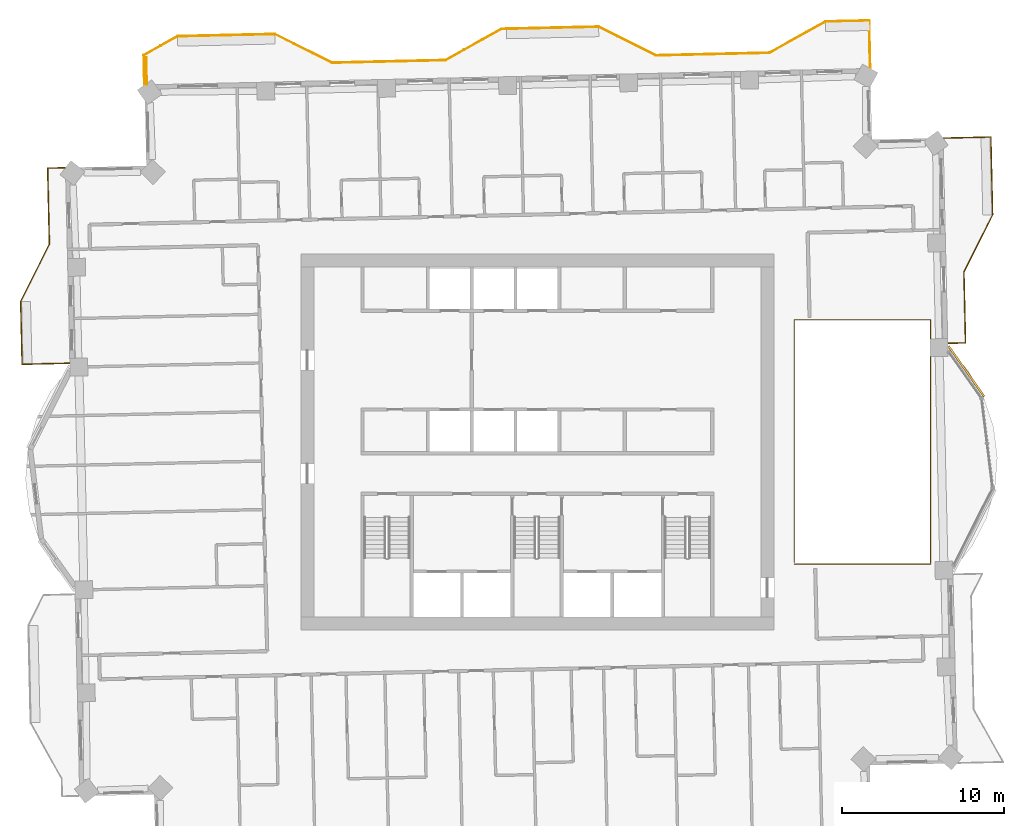
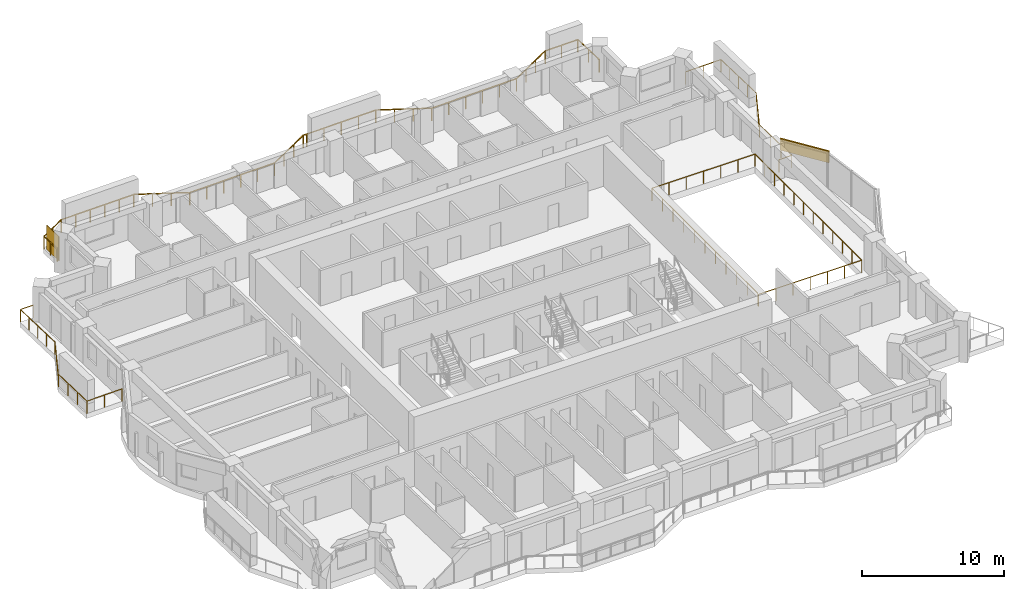
# One storey, part 17 of 17: 4 railings, 1 covering, 1 shading device.
"""IFC4 building model written with IfcOpenShell, lengths in metres."""

from ifc_helpers import new_model, si_unit, direction, frame, frame_2d, origin, origin_2d, place, context, subcontext, project, spatial, rectangle, extrude, material, layer, layer_set, type_object, element, save


model = new_model("IFC4")

# Units and contexts
model_context = context("Model", 3, precision=1e-05, world=origin(), true_north=direction((0.0, 1.0)))
body_context = subcontext(model_context, "Body", "Model", "MODEL_VIEW")
ifc_project = project(units=[si_unit("LENGTHUNIT", "METRE"), si_unit("AREAUNIT", "SQUARE_METRE"), si_unit("VOLUMEUNIT", "CUBIC_METRE"), si_unit("PLANEANGLEUNIT", "RADIAN"), si_unit("MASSUNIT", "GRAM", prefix="KILO")], contexts=[model_context])

# Site, building, storey
site_placement = place(None, origin())
site = spatial("IfcSite", under=ifc_project, at=site_placement, CompositionType="ELEMENT")
building_placement = place(site_placement, origin())
building = spatial("IfcBuilding", under=site, at=building_placement, Name="Mangrove Gate Tower", CompositionType="ELEMENT")
storey_placement = place(building_placement, frame((0.0, 0.0, 234.699951171875)))
storey = spatial("IfcBuildingStorey", under=building, at=storey_placement, Name="L59", CompositionType="ELEMENT", Elevation=234.699951171875)

# Railings
ifc_material_1 = material(Name="Stainless steel grade 316 with laminated glass infill", Category="steel")
railing_type = type_object("IfcRailingType", Name="Balcony guard 1100", PredefinedType="GUARDRAIL", material=ifc_material_1)
railing_1_placement = place(storey_placement, frame((25.375, 6.089111328125, 0.0)))
element("IfcRailing", 1, at=railing_1_placement, inside=storey, type_object=railing_type, Name="GUARD L59 E2", PredefinedType="GUARDRAIL", context=body_context, shape_type="SweptSolid", body=[
    extrude(rectangle(XDim=0.048095703125, YDim=0.048095703125, at=origin_2d()), frame((0.0, 0.0, 1.076171875), z_axis=(0.999745389313, 0.022564497502, 0.0), x_axis=(-0.022564497502, 0.999745389313, 0.0)), (0.0, 0.0, 1.0), 1.060302734375),
    extrude(rectangle(XDim=0.048095703125, YDim=0.048095703125, at=origin_2d()), frame((1.06005859375, 0.02392578125, 1.076171875), z_axis=(-0.022655491882, 0.999743331404, 0.0), x_axis=(-0.999743331404, -0.022655491882, 0.0)), (0.0, 0.0, 1.0), 4.375244140625),
    extrude(rectangle(XDim=0.048095703125, YDim=0.048095703125, at=origin_2d()), frame((0.9609375, 4.39794921875, 1.076171875), z_axis=(0.447114919141, 0.894476522376, 0.0), x_axis=(-0.894476522376, 0.447114919141, 0.0)), (0.0, 0.0, 1.0), 3.958740234375),
    extrude(rectangle(XDim=0.048095703125, YDim=0.048095703125, at=origin_2d()), frame((2.73095703125, 7.93896484375, 1.076171875), z_axis=(-0.022684433919, 0.999742675121, 0.0), x_axis=(-0.999742675121, -0.022684433919, 0.0)), (0.0, 0.0, 1.0), 4.800048828125),
    extrude(rectangle(XDim=0.048095703125, YDim=0.048095703125, at=origin_2d()), frame((2.6220703125, 12.73779296875, 1.076171875), z_axis=(-0.999743392495, -0.022652795902, 0.0), x_axis=(0.022652795902, -0.999743392495, 0.0)), (0.0, 0.0, 1.0), 2.909912109375),
    extrude(rectangle(XDim=0.0419921875, YDim=0.0419921875, at=origin_2d()), origin(), (0.0, 0.0, 1.0), 1.052001953125),
    extrude(rectangle(XDim=0.0419921875, YDim=0.0419921875, at=origin_2d()), frame((1.06005859375, 0.02392578125, 0.0)), (0.0, 0.0, 1.0), 1.052001953125),
    extrude(rectangle(XDim=0.0419921875, YDim=0.0419921875, at=origin_2d()), frame((1.027099609375, 1.48193359375, 0.0)), (0.0, 0.0, 1.0), 1.052001953125),
    extrude(rectangle(XDim=0.0419921875, YDim=0.0419921875, at=origin_2d()), frame((0.993896484375, 2.93994140625, 0.0)), (0.0, 0.0, 1.0), 1.052001953125),
    extrude(rectangle(XDim=0.0419921875, YDim=0.0419921875, at=origin_2d()), frame((0.9609375, 4.39794921875, 0.0)), (0.0, 0.0, 1.0), 1.052001953125),
    extrude(rectangle(XDim=0.0419921875, YDim=0.0419921875, at=origin_2d()), frame((1.551025390625, 5.578369140625, 0.0)), (0.0, 0.0, 1.0), 1.052001953125),
    extrude(rectangle(XDim=0.0419921875, YDim=0.0419921875, at=origin_2d()), frame((2.140869140625, 6.758544921875, 0.0)), (0.0, 0.0, 1.0), 1.052001953125),
    extrude(rectangle(XDim=0.0419921875, YDim=0.0419921875, at=origin_2d()), frame((2.73095703125, 7.93896484375, 0.0)), (0.0, 0.0, 1.0), 1.052001953125),
    extrude(rectangle(XDim=0.0419921875, YDim=0.0419921875, at=origin_2d()), frame((2.70361328125, 9.138671875, 0.0)), (0.0, 0.0, 1.0), 1.052001953125),
    extrude(rectangle(XDim=0.0419921875, YDim=0.0419921875, at=origin_2d()), frame((2.676513671875, 10.33837890625, 0.0)), (0.0, 0.0, 1.0), 1.052001953125),
    extrude(rectangle(XDim=0.0419921875, YDim=0.0419921875, at=origin_2d()), frame((2.6494140625, 11.5380859375, 0.0)), (0.0, 0.0, 1.0), 1.052001953125),
    extrude(rectangle(XDim=0.0419921875, YDim=0.0419921875, at=origin_2d()), frame((2.6220703125, 12.73779296875, 0.0)), (0.0, 0.0, 1.0), 1.052001953125),
    extrude(rectangle(XDim=0.0419921875, YDim=0.0419921875, at=origin_2d()), frame((1.16748046875, 12.704833984375, 0.0)), (0.0, 0.0, 1.0), 1.052001953125),
    extrude(rectangle(XDim=0.0419921875, YDim=0.0419921875, at=origin_2d()), frame((-0.287109375, 12.671875, 0.0)), (0.0, 0.0, 1.0), 1.052001953125),
])
railing_2_placement = place(storey_placement, frame((20.548095703125, 23.09912109375, 0.0)))
element("IfcRailing", 2, at=railing_2_placement, inside=storey, type_object=railing_type, Name="GUARD L59 N1", PredefinedType="GUARDRAIL", context=body_context, shape_type="SweptSolid", body=[
    extrude(rectangle(XDim=0.048095703125, YDim=0.048095703125, at=origin_2d()), frame((0.0, 0.0, 1.076171875), z_axis=(-0.022738559105, 0.99974144554, 0.0), x_axis=(-0.99974144554, -0.022738559105, 0.0)), (0.0, 0.0, 1.0), 2.90966796875),
    extrude(rectangle(XDim=0.048095703125, YDim=0.048095703125, at=origin_2d()), frame((-0.066162109375, 2.908935546875, 1.076171875), z_axis=(-0.999745134961, -0.022575764045, 0.0), x_axis=(0.022575764045, -0.999745134961, 0.0)), (0.0, 0.0, 1.0), 2.70361328125),
    extrude(rectangle(XDim=0.048095703125, YDim=0.048095703125, at=origin_2d()), frame((-2.76904296875, 2.847900390625, 1.076171875), z_axis=(-0.87325689943, -0.48726008209, 0.0), x_axis=(0.48726008209, -0.87325689943, 0.0)), (0.0, 0.0, 1.0), 3.958740234375),
    extrude(rectangle(XDim=0.048095703125, YDim=0.048095703125, at=origin_2d()), frame((-6.22607421875, 0.9189453125, 1.076171875), z_axis=(-0.999741403216, -0.022740419861, 0.0), x_axis=(0.022740419861, -0.999741403216, 0.0)), (0.0, 0.0, 1.0), 6.999755859375),
    extrude(rectangle(XDim=0.048095703125, YDim=0.048095703125, at=origin_2d()), frame((-13.22412109375, 0.759765625, 1.076171875), z_axis=(-0.894476522376, 0.447114919141, 0.0), x_axis=(-0.447114919141, -0.894476522376, 0.0)), (0.0, 0.0, 1.0), 3.958740234375),
    extrude(rectangle(XDim=0.048095703125, YDim=0.048095703125, at=origin_2d()), frame((-16.76513671875, 2.52978515625, 1.076171875), z_axis=(-0.999744284001, -0.022613416525, 0.0), x_axis=(0.022613416525, -0.999744284001, 0.0)), (0.0, 0.0, 1.0), 5.700439453125),
    extrude(rectangle(XDim=0.048095703125, YDim=0.048095703125, at=origin_2d()), frame((-22.464111328125, 2.40087890625, 1.076171875), z_axis=(-0.999721720687, -0.023589853458, 0.0), x_axis=(0.023589853458, -0.999721720687, 0.0)), (0.0, 0.0, 1.0), 0.300048828125),
    extrude(rectangle(XDim=0.048095703125, YDim=0.048095703125, at=origin_2d()), frame((-22.76416015625, 2.393798828125, 1.076171875), z_axis=(-0.87325689943, -0.48726008209, 0.0), x_axis=(0.48726008209, -0.87325689943, 0.0)), (0.0, 0.0, 1.0), 3.958740234375),
    extrude(rectangle(XDim=0.048095703125, YDim=0.048095703125, at=origin_2d()), frame((-26.22119140625, 0.46484375, 1.076171875), z_axis=(-0.999742177561, -0.022706351659, 0.0), x_axis=(0.022706351659, -0.999742177561, 0.0)), (0.0, 0.0, 1.0), 6.99951171875),
    extrude(rectangle(XDim=0.048095703125, YDim=0.048095703125, at=origin_2d()), frame((-33.218994140625, 0.305908203125, 1.076171875), z_axis=(-0.894476522376, 0.447114919141, 0.0), x_axis=(-0.447114919141, -0.894476522376, 0.0)), (0.0, 0.0, 1.0), 3.958740234375),
    extrude(rectangle(XDim=0.048095703125, YDim=0.048095703125, at=origin_2d()), frame((-36.760009765625, 2.075927734375, 1.076171875), z_axis=(-0.999743178102, -0.022662255828, 0.0), x_axis=(0.022662255828, -0.999743178102, 0.0)), (0.0, 0.0, 1.0), 6.00048828125),
    extrude(rectangle(XDim=0.048095703125, YDim=0.048095703125, at=origin_2d()), frame((-42.759033203125, 1.93994140625, 1.076171875), z_axis=(-0.873323584188, -0.487140551895, 0.0), x_axis=(0.487140551895, -0.873323584188, 0.0)), (0.0, 0.0, 1.0), 2.379638671875),
    extrude(rectangle(XDim=0.048095703125, YDim=0.048095703125, at=origin_2d()), frame((-44.837158203125, 0.78076171875, 1.076171875), z_axis=(0.022807753673, -0.999739869352, 0.0), x_axis=(0.999739869352, 0.022807753673, 0.0)), (0.0, 0.0, 1.0), 1.79833984375),
    extrude(rectangle(XDim=0.0419921875, YDim=0.0419921875, at=origin_2d()), origin(), (0.0, 0.0, 1.0), 1.052001953125),
    extrude(rectangle(XDim=0.0419921875, YDim=0.0419921875, at=origin_2d()), frame((-0.033203125, 1.45458984375, 0.0)), (0.0, 0.0, 1.0), 1.052001953125),
    extrude(rectangle(XDim=0.0419921875, YDim=0.0419921875, at=origin_2d()), frame((-0.066162109375, 2.908935546875, 0.0)), (0.0, 0.0, 1.0), 1.052001953125),
    extrude(rectangle(XDim=0.0419921875, YDim=0.0419921875, at=origin_2d()), frame((-1.41748046875, 2.87841796875, 0.0)), (0.0, 0.0, 1.0), 1.052001953125),
    extrude(rectangle(XDim=0.0419921875, YDim=0.0419921875, at=origin_2d()), frame((-2.76904296875, 2.847900390625, 0.0)), (0.0, 0.0, 1.0), 1.052001953125),
    extrude(rectangle(XDim=0.0419921875, YDim=0.0419921875, at=origin_2d()), frame((-3.92138671875, 2.204833984375, 0.0)), (0.0, 0.0, 1.0), 1.052001953125),
    extrude(rectangle(XDim=0.0419921875, YDim=0.0419921875, at=origin_2d()), frame((-5.07373046875, 1.56201171875, 0.0)), (0.0, 0.0, 1.0), 1.052001953125),
    extrude(rectangle(XDim=0.0419921875, YDim=0.0419921875, at=origin_2d()), frame((-6.22607421875, 0.9189453125, 0.0)), (0.0, 0.0, 1.0), 1.052001953125),
    extrude(rectangle(XDim=0.0419921875, YDim=0.0419921875, at=origin_2d()), frame((-7.625732421875, 0.88720703125, 0.0)), (0.0, 0.0, 1.0), 1.052001953125),
    extrude(rectangle(XDim=0.0419921875, YDim=0.0419921875, at=origin_2d()), frame((-9.025390625, 0.855224609375, 0.0)), (0.0, 0.0, 1.0), 1.052001953125),
    extrude(rectangle(XDim=0.0419921875, YDim=0.0419921875, at=origin_2d()), frame((-10.4248046875, 0.823486328125, 0.0)), (0.0, 0.0, 1.0), 1.052001953125),
    extrude(rectangle(XDim=0.0419921875, YDim=0.0419921875, at=origin_2d()), frame((-11.824462890625, 0.79150390625, 0.0)), (0.0, 0.0, 1.0), 1.052001953125),
    extrude(rectangle(XDim=0.0419921875, YDim=0.0419921875, at=origin_2d()), frame((-13.22412109375, 0.759765625, 0.0)), (0.0, 0.0, 1.0), 1.052001953125),
    extrude(rectangle(XDim=0.0419921875, YDim=0.0419921875, at=origin_2d()), frame((-14.404541015625, 1.349853515625, 0.0)), (0.0, 0.0, 1.0), 1.052001953125),
    extrude(rectangle(XDim=0.0419921875, YDim=0.0419921875, at=origin_2d()), frame((-15.584716796875, 1.939697265625, 0.0)), (0.0, 0.0, 1.0), 1.052001953125),
    extrude(rectangle(XDim=0.0419921875, YDim=0.0419921875, at=origin_2d()), frame((-16.76513671875, 2.52978515625, 0.0)), (0.0, 0.0, 1.0), 1.052001953125),
    extrude(rectangle(XDim=0.0419921875, YDim=0.0419921875, at=origin_2d()), frame((-18.18994140625, 2.49755859375, 0.0)), (0.0, 0.0, 1.0), 1.052001953125),
    extrude(rectangle(XDim=0.0419921875, YDim=0.0419921875, at=origin_2d()), frame((-19.61474609375, 2.46533203125, 0.0)), (0.0, 0.0, 1.0), 1.052001953125),
    extrude(rectangle(XDim=0.0419921875, YDim=0.0419921875, at=origin_2d()), frame((-21.039306640625, 2.43310546875, 0.0)), (0.0, 0.0, 1.0), 1.052001953125),
    extrude(rectangle(XDim=0.0419921875, YDim=0.0419921875, at=origin_2d()), frame((-22.464111328125, 2.40087890625, 0.0)), (0.0, 0.0, 1.0), 1.052001953125),
    extrude(rectangle(XDim=0.0419921875, YDim=0.0419921875, at=origin_2d()), frame((-22.76416015625, 2.393798828125, 0.0)), (0.0, 0.0, 1.0), 1.052001953125),
    extrude(rectangle(XDim=0.0419921875, YDim=0.0419921875, at=origin_2d()), frame((-23.91650390625, 1.750732421875, 0.0)), (0.0, 0.0, 1.0), 1.052001953125),
    extrude(rectangle(XDim=0.0419921875, YDim=0.0419921875, at=origin_2d()), frame((-25.06884765625, 1.10791015625, 0.0)), (0.0, 0.0, 1.0), 1.052001953125),
    extrude(rectangle(XDim=0.0419921875, YDim=0.0419921875, at=origin_2d()), frame((-26.22119140625, 0.46484375, 0.0)), (0.0, 0.0, 1.0), 1.052001953125),
    extrude(rectangle(XDim=0.0419921875, YDim=0.0419921875, at=origin_2d()), frame((-27.620849609375, 0.43310546875, 0.0)), (0.0, 0.0, 1.0), 1.052001953125),
    extrude(rectangle(XDim=0.0419921875, YDim=0.0419921875, at=origin_2d()), frame((-29.020263671875, 0.4013671875, 0.0)), (0.0, 0.0, 1.0), 1.052001953125),
    extrude(rectangle(XDim=0.0419921875, YDim=0.0419921875, at=origin_2d()), frame((-30.419921875, 0.369384765625, 0.0)), (0.0, 0.0, 1.0), 1.052001953125),
    extrude(rectangle(XDim=0.0419921875, YDim=0.0419921875, at=origin_2d()), frame((-31.8193359375, 0.337646484375, 0.0)), (0.0, 0.0, 1.0), 1.052001953125),
    extrude(rectangle(XDim=0.0419921875, YDim=0.0419921875, at=origin_2d()), frame((-33.218994140625, 0.305908203125, 0.0)), (0.0, 0.0, 1.0), 1.052001953125),
    extrude(rectangle(XDim=0.0419921875, YDim=0.0419921875, at=origin_2d()), frame((-34.3994140625, 0.89599609375, 0.0)), (0.0, 0.0, 1.0), 1.052001953125),
    extrude(rectangle(XDim=0.0419921875, YDim=0.0419921875, at=origin_2d()), frame((-35.57958984375, 1.48583984375, 0.0)), (0.0, 0.0, 1.0), 1.052001953125),
    extrude(rectangle(XDim=0.0419921875, YDim=0.0419921875, at=origin_2d()), frame((-36.760009765625, 2.075927734375, 0.0)), (0.0, 0.0, 1.0), 1.052001953125),
    extrude(rectangle(XDim=0.0419921875, YDim=0.0419921875, at=origin_2d()), frame((-37.959716796875, 2.048828125, 0.0)), (0.0, 0.0, 1.0), 1.052001953125),
    extrude(rectangle(XDim=0.0419921875, YDim=0.0419921875, at=origin_2d()), frame((-39.15966796875, 2.021484375, 0.0)), (0.0, 0.0, 1.0), 1.052001953125),
    extrude(rectangle(XDim=0.0419921875, YDim=0.0419921875, at=origin_2d()), frame((-40.359375, 1.994384765625, 0.0)), (0.0, 0.0, 1.0), 1.052001953125),
    extrude(rectangle(XDim=0.0419921875, YDim=0.0419921875, at=origin_2d()), frame((-41.559326171875, 1.967041015625, 0.0)), (0.0, 0.0, 1.0), 1.052001953125),
    extrude(rectangle(XDim=0.0419921875, YDim=0.0419921875, at=origin_2d()), frame((-42.759033203125, 1.93994140625, 0.0)), (0.0, 0.0, 1.0), 1.052001953125),
    extrude(rectangle(XDim=0.0419921875, YDim=0.0419921875, at=origin_2d()), frame((-43.798095703125, 1.3603515625, 0.0)), (0.0, 0.0, 1.0), 1.052001953125),
    extrude(rectangle(XDim=0.0419921875, YDim=0.0419921875, at=origin_2d()), frame((-44.837158203125, 0.78076171875, 0.0)), (0.0, 0.0, 1.0), 1.052001953125),
    extrude(rectangle(XDim=0.0419921875, YDim=0.0419921875, at=origin_2d()), frame((-44.816650390625, -0.1181640625, 0.0)), (0.0, 0.0, 1.0), 1.052001953125),
    extrude(rectangle(XDim=0.0419921875, YDim=0.0419921875, at=origin_2d()), frame((-44.796142578125, -1.01708984375, 0.0)), (0.0, 0.0, 1.0), 1.052001953125),
])
railing_3_placement = place(storey_placement, frame((-29.173095703125, 16.928955078125, 0.0)))
element("IfcRailing", 3, at=railing_3_placement, inside=storey, type_object=railing_type, Name="GUARD L59 W1", PredefinedType="GUARDRAIL", context=body_context, shape_type="SweptSolid", body=[
    extrude(rectangle(XDim=0.048095703125, YDim=0.048095703125, at=origin_2d()), frame((0.0, 0.0, 1.076171875), z_axis=(-0.999744802133, -0.022590498181, 0.0), x_axis=(0.022590498181, -0.999744802133, 0.0)), (0.0, 0.0, 1.0), 1.05908203125),
    extrude(rectangle(XDim=0.048095703125, YDim=0.048095703125, at=origin_2d()), frame((-1.058837890625, -0.02392578125, 1.076171875), z_axis=(0.022543238277, -0.999745868913, 0.0), x_axis=(0.999745868913, 0.022543238277, 0.0)), (0.0, 0.0, 1.0), 4.7001953125),
    extrude(rectangle(XDim=0.048095703125, YDim=0.048095703125, at=origin_2d()), frame((-0.952880859375, -4.722900390625, 1.076171875), z_axis=(-0.447114919141, -0.894476522376, 0.0), x_axis=(0.894476522376, -0.447114919141, 0.0)), (0.0, 0.0, 1.0), 3.958740234375),
    extrude(rectangle(XDim=0.048095703125, YDim=0.048095703125, at=origin_2d()), frame((-2.722900390625, -8.263916015625, 1.076171875), z_axis=(0.02268704877, -0.999742615786, 0.0), x_axis=(0.999742615786, 0.02268704877, 0.0)), (0.0, 0.0, 1.0), 3.8740234375),
    extrude(rectangle(XDim=0.048095703125, YDim=0.048095703125, at=origin_2d()), frame((-2.635009765625, -12.136962890625, 1.076171875), z_axis=(0.999743392495, 0.022652795902, 0.0), x_axis=(-0.022652795902, 0.999743392495, 0.0)), (0.0, 0.0, 1.0), 2.909912109375),
    extrude(rectangle(XDim=0.0419921875, YDim=0.0419921875, at=origin_2d()), origin(), (0.0, 0.0, 1.0), 1.052001953125),
    extrude(rectangle(XDim=0.0419921875, YDim=0.0419921875, at=origin_2d()), frame((-1.058837890625, -0.02392578125, 0.0)), (0.0, 0.0, 1.0), 1.052001953125),
    extrude(rectangle(XDim=0.0419921875, YDim=0.0419921875, at=origin_2d()), frame((-1.0322265625, -1.19873046875, 0.0)), (0.0, 0.0, 1.0), 1.052001953125),
    extrude(rectangle(XDim=0.0419921875, YDim=0.0419921875, at=origin_2d()), frame((-1.005859375, -2.37353515625, 0.0)), (0.0, 0.0, 1.0), 1.052001953125),
    extrude(rectangle(XDim=0.0419921875, YDim=0.0419921875, at=origin_2d()), frame((-0.9794921875, -3.548095703125, 0.0)), (0.0, 0.0, 1.0), 1.052001953125),
    extrude(rectangle(XDim=0.0419921875, YDim=0.0419921875, at=origin_2d()), frame((-0.952880859375, -4.722900390625, 0.0)), (0.0, 0.0, 1.0), 1.052001953125),
    extrude(rectangle(XDim=0.0419921875, YDim=0.0419921875, at=origin_2d()), frame((-1.54296875, -5.9033203125, 0.0)), (0.0, 0.0, 1.0), 1.052001953125),
    extrude(rectangle(XDim=0.0419921875, YDim=0.0419921875, at=origin_2d()), frame((-2.1328125, -7.08349609375, 0.0)), (0.0, 0.0, 1.0), 1.052001953125),
    extrude(rectangle(XDim=0.0419921875, YDim=0.0419921875, at=origin_2d()), frame((-2.722900390625, -8.263916015625, 0.0)), (0.0, 0.0, 1.0), 1.052001953125),
    extrude(rectangle(XDim=0.0419921875, YDim=0.0419921875, at=origin_2d()), frame((-2.693603515625, -9.554931640625, 0.0)), (0.0, 0.0, 1.0), 1.052001953125),
    extrude(rectangle(XDim=0.0419921875, YDim=0.0419921875, at=origin_2d()), frame((-2.664306640625, -10.845947265625, 0.0)), (0.0, 0.0, 1.0), 1.052001953125),
    extrude(rectangle(XDim=0.0419921875, YDim=0.0419921875, at=origin_2d()), frame((-2.635009765625, -12.136962890625, 0.0)), (0.0, 0.0, 1.0), 1.052001953125),
    extrude(rectangle(XDim=0.0419921875, YDim=0.0419921875, at=origin_2d()), frame((-1.180419921875, -12.10400390625, 0.0)), (0.0, 0.0, 1.0), 1.052001953125),
    extrude(rectangle(XDim=0.0419921875, YDim=0.0419921875, at=origin_2d()), frame((0.274169921875, -12.071044921875, 0.0)), (0.0, 0.0, 1.0), 1.052001953125),
])
railing_4_placement = place(storey_placement, frame((15.860107421875, -7.5400390625, 0.0)))
element("IfcRailing", 4, at=railing_4_placement, inside=storey, type_object=railing_type, Name="GUARD L59 atrium", PredefinedType="GUARDRAIL", context=body_context, shape_type="SweptSolid", body=[
    extrude(rectangle(XDim=0.048095703125, YDim=0.048095703125, at=origin_2d()), frame((0.0, 0.0, 1.076171875), z_axis=(1.0, 0.0, 0.0), x_axis=(0.0, 1.0, 0.0)), (0.0, 0.0, 1.0), 8.406982421875),
    extrude(rectangle(XDim=0.048095703125, YDim=0.048095703125, at=origin_2d()), frame((8.406982421875, 0.0, 1.076171875), z_axis=(0.0, 1.0, 0.0), x_axis=(-1.0, 0.0, 0.0)), (0.0, 0.0, 1.0), 15.080078125),
    extrude(rectangle(XDim=0.048095703125, YDim=0.048095703125, at=origin_2d()), frame((8.406982421875, 15.080078125, 1.076171875), z_axis=(-1.0, 0.0, 0.0), x_axis=(0.0, -1.0, 0.0)), (0.0, 0.0, 1.0), 8.406982421875),
    extrude(rectangle(XDim=0.048095703125, YDim=0.048095703125, at=origin_2d()), frame((0.0, 15.080078125, 1.076171875), z_axis=(0.0, -1.0, 0.0), x_axis=(1.0, 0.0, 0.0)), (0.0, 0.0, 1.0), 14.9599609375),
    extrude(rectangle(XDim=0.0419921875, YDim=0.0419921875, at=origin_2d()), origin(), (0.0, 0.0, 1.0), 1.052001953125),
    extrude(rectangle(XDim=0.0419921875, YDim=0.0419921875, at=origin_2d()), frame((1.401123046875, 0.0, 0.0)), (0.0, 0.0, 1.0), 1.052001953125),
    extrude(rectangle(XDim=0.0419921875, YDim=0.0419921875, at=origin_2d()), frame((2.80224609375, 0.0, 0.0)), (0.0, 0.0, 1.0), 1.052001953125),
    extrude(rectangle(XDim=0.0419921875, YDim=0.0419921875, at=origin_2d()), frame((4.20361328125, 0.0, 0.0)), (0.0, 0.0, 1.0), 1.052001953125),
    extrude(rectangle(XDim=0.0419921875, YDim=0.0419921875, at=origin_2d()), frame((5.604736328125, 0.0, 0.0)), (0.0, 0.0, 1.0), 1.052001953125),
    extrude(rectangle(XDim=0.0419921875, YDim=0.0419921875, at=origin_2d()), frame((7.005859375, 0.0, 0.0)), (0.0, 0.0, 1.0), 1.052001953125),
    extrude(rectangle(XDim=0.0419921875, YDim=0.0419921875, at=origin_2d()), frame((8.406982421875, 0.0, 0.0)), (0.0, 0.0, 1.0), 1.052001953125),
    extrude(rectangle(XDim=0.0419921875, YDim=0.0419921875, at=origin_2d()), frame((8.406982421875, 1.370849609375, 0.0)), (0.0, 0.0, 1.0), 1.052001953125),
    extrude(rectangle(XDim=0.0419921875, YDim=0.0419921875, at=origin_2d()), frame((8.406982421875, 2.741943359375, 0.0)), (0.0, 0.0, 1.0), 1.052001953125),
    extrude(rectangle(XDim=0.0419921875, YDim=0.0419921875, at=origin_2d()), frame((8.406982421875, 4.11279296875, 0.0)), (0.0, 0.0, 1.0), 1.052001953125),
    extrude(rectangle(XDim=0.0419921875, YDim=0.0419921875, at=origin_2d()), frame((8.406982421875, 5.483642578125, 0.0)), (0.0, 0.0, 1.0), 1.052001953125),
    extrude(rectangle(XDim=0.0419921875, YDim=0.0419921875, at=origin_2d()), frame((8.406982421875, 6.8544921875, 0.0)), (0.0, 0.0, 1.0), 1.052001953125),
    extrude(rectangle(XDim=0.0419921875, YDim=0.0419921875, at=origin_2d()), frame((8.406982421875, 8.2255859375, 0.0)), (0.0, 0.0, 1.0), 1.052001953125),
    extrude(rectangle(XDim=0.0419921875, YDim=0.0419921875, at=origin_2d()), frame((8.406982421875, 9.596435546875, 0.0)), (0.0, 0.0, 1.0), 1.052001953125),
    extrude(rectangle(XDim=0.0419921875, YDim=0.0419921875, at=origin_2d()), frame((8.406982421875, 10.96728515625, 0.0)), (0.0, 0.0, 1.0), 1.052001953125),
    extrude(rectangle(XDim=0.0419921875, YDim=0.0419921875, at=origin_2d()), frame((8.406982421875, 12.338134765625, 0.0)), (0.0, 0.0, 1.0), 1.052001953125),
    extrude(rectangle(XDim=0.0419921875, YDim=0.0419921875, at=origin_2d()), frame((8.406982421875, 13.709228515625, 0.0)), (0.0, 0.0, 1.0), 1.052001953125),
    extrude(rectangle(XDim=0.0419921875, YDim=0.0419921875, at=origin_2d()), frame((8.406982421875, 15.080078125, 0.0)), (0.0, 0.0, 1.0), 1.052001953125),
    extrude(rectangle(XDim=0.0419921875, YDim=0.0419921875, at=origin_2d()), frame((7.005859375, 15.080078125, 0.0)), (0.0, 0.0, 1.0), 1.052001953125),
    extrude(rectangle(XDim=0.0419921875, YDim=0.0419921875, at=origin_2d()), frame((5.604736328125, 15.080078125, 0.0)), (0.0, 0.0, 1.0), 1.052001953125),
    extrude(rectangle(XDim=0.0419921875, YDim=0.0419921875, at=origin_2d()), frame((4.20361328125, 15.080078125, 0.0)), (0.0, 0.0, 1.0), 1.052001953125),
    extrude(rectangle(XDim=0.0419921875, YDim=0.0419921875, at=origin_2d()), frame((2.80224609375, 15.080078125, 0.0)), (0.0, 0.0, 1.0), 1.052001953125),
    extrude(rectangle(XDim=0.0419921875, YDim=0.0419921875, at=origin_2d()), frame((1.401123046875, 15.080078125, 0.0)), (0.0, 0.0, 1.0), 1.052001953125),
    extrude(rectangle(XDim=0.0419921875, YDim=0.0419921875, at=origin_2d()), frame((0.0, 15.080078125, 0.0)), (0.0, 0.0, 1.0), 1.052001953125),
    extrude(rectangle(XDim=0.0419921875, YDim=0.0419921875, at=origin_2d()), frame((0.0, 13.583984375, 0.0)), (0.0, 0.0, 1.0), 1.052001953125),
    extrude(rectangle(XDim=0.0419921875, YDim=0.0419921875, at=origin_2d()), frame((0.0, 12.088134765625, 0.0)), (0.0, 0.0, 1.0), 1.052001953125),
    extrude(rectangle(XDim=0.0419921875, YDim=0.0419921875, at=origin_2d()), frame((0.0, 10.592041015625, 0.0)), (0.0, 0.0, 1.0), 1.052001953125),
    extrude(rectangle(XDim=0.0419921875, YDim=0.0419921875, at=origin_2d()), frame((0.0, 9.09619140625, 0.0)), (0.0, 0.0, 1.0), 1.052001953125),
    extrude(rectangle(XDim=0.0419921875, YDim=0.0419921875, at=origin_2d()), frame((0.0, 7.60009765625, 0.0)), (0.0, 0.0, 1.0), 1.052001953125),
    extrude(rectangle(XDim=0.0419921875, YDim=0.0419921875, at=origin_2d()), frame((0.0, 6.10400390625, 0.0)), (0.0, 0.0, 1.0), 1.052001953125),
    extrude(rectangle(XDim=0.0419921875, YDim=0.0419921875, at=origin_2d()), frame((0.0, 4.608154296875, 0.0)), (0.0, 0.0, 1.0), 1.052001953125),
    extrude(rectangle(XDim=0.0419921875, YDim=0.0419921875, at=origin_2d()), frame((0.0, 3.112060546875, 0.0)), (0.0, 0.0, 1.0), 1.052001953125),
    extrude(rectangle(XDim=0.0419921875, YDim=0.0419921875, at=origin_2d()), frame((0.0, 1.6162109375, 0.0)), (0.0, 0.0, 1.0), 1.052001953125),
    extrude(rectangle(XDim=0.0419921875, YDim=0.0419921875, at=origin_2d()), frame((0.0, 0.1201171875, 0.0)), (0.0, 0.0, 1.0), 1.052001953125),
])

# Shading device
ifc_material_2 = material(Name="Timber slat screen in teak", Category="wood")
shading_device_type = type_object("IfcShadingDeviceType", Name="Balcony screen 2100", PredefinedType="USERDEFINED", material=ifc_material_2)
shading_device_placement = place(storey_placement, frame((-24.126953125, 22.904052734375, 0.0), z_axis=(0.0, 0.0, 1.0), x_axis=(-0.022896718676, 0.999737835772, 0.0)))
element("IfcShadingDevice", 5, at=shading_device_placement, inside=storey, type_object=shading_device_type, Name="SCREEN L59 N1", ObjectType="SCREEN", PredefinedType="USERDEFINED", context=body_context, shape_type="SweptSolid", body=[
    extrude(rectangle(XDim=1.677978515625, YDim=0.050048828125, at=origin_2d()), origin(), (0.0, 0.0, 1.0), 2.10009765625),
])

# Covering
ifc_material_3 = material(Name="Limestone", Category="masonry")
ifc_layer_1 = layer(ifc_material_3, 0.0400390625, Name="Limestone cladding")
ifc_material_4 = material(Name="Stainless steel anchors and cavity", Category="steel")
ifc_layer_2 = layer(ifc_material_4, 0.080078125, Name="Fixing cavity")
ifc_layer_set = layer_set([ifc_layer_1, ifc_layer_2], Name="Joint fascia cladding 120")
covering_type = type_object("IfcCoveringType", Name="Joint fascia cladding 120", PredefinedType="CLADDING", material=ifc_layer_set)
covering_placement = place(storey_placement, frame((27.591064453125, 2.802978515625, 2.050048828125), z_axis=(0.0, 0.0, 1.0), x_axis=(-0.578168098379, 0.815917673553, 0.0)))
element("IfcCovering", 6, at=covering_placement, inside=storey, type_object=covering_type, Name="STONE FASCIA L59 E1.L2", PredefinedType="CLADDING", context=body_context, shape_type="SweptSolid", body=[
    extrude(rectangle(XDim=3.819091796875, YDim=0.1201171875, at=frame_2d((1.90966796875, 0.0))), origin(), (0.0, 0.0, 1.0), 1.0),
])

save(model, "model.ifc")
